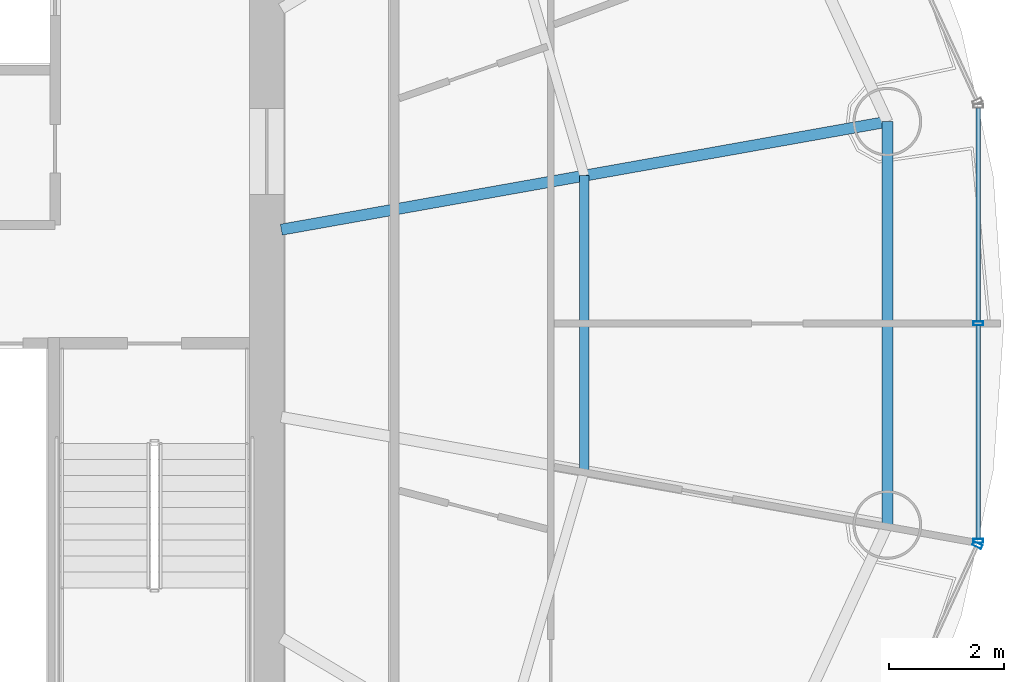
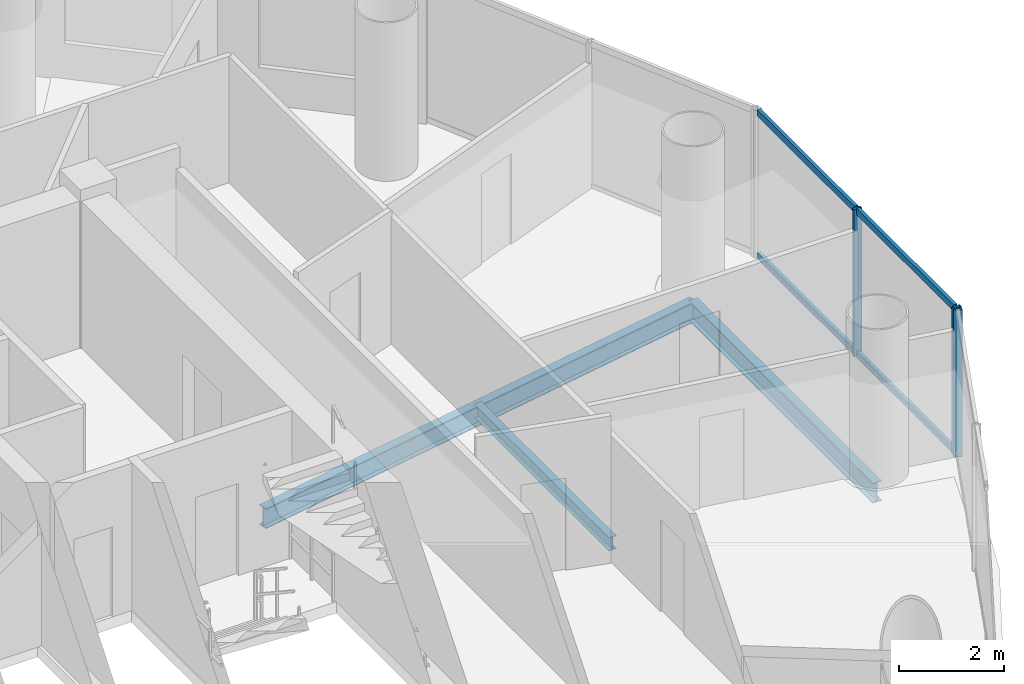
# One storey, part 13 of 26: 7 members, 3 beams, 2 elements without a shape of their own.
"""IFC4 building model written with IfcOpenShell, lengths in metres."""

from ifc_helpers import new_model, si_unit, direction, frame, origin, origin_2d, place, context, subcontext, project, spatial, hollow_rectangle, i_section, extrude, source, transform, mapped, material, material_profile, profile_set, type_object, element, aggregate, save


model = new_model("IFC4")

# Units and contexts
model_context = context("Model", 3, precision=1e-05, world=origin(), true_north=direction((-0.2419218956, 0.970295726276)))
body_context = subcontext(model_context, "Body", "Model", "MODEL_VIEW")
ifc_project = project(units=[si_unit("LENGTHUNIT", "METRE"), si_unit("AREAUNIT", "SQUARE_METRE"), si_unit("VOLUMEUNIT", "CUBIC_METRE"), si_unit("PLANEANGLEUNIT", "RADIAN"), si_unit("MASSUNIT", "GRAM", prefix="KILO")], contexts=[model_context])

# Site, building, storey
site_placement = place(None, origin())
site = spatial("IfcSite", under=ifc_project, at=site_placement, CompositionType="ELEMENT")
building_placement = place(site_placement, origin())
building = spatial("IfcBuilding", under=site, at=building_placement, Name="Cobrevalo Terracotta Tower", CompositionType="ELEMENT")
storey_placement = place(building_placement, frame((0.0, 0.0, 231.89990234375)))
storey = spatial("IfcBuildingStorey", under=building, at=storey_placement, Name="L61", CompositionType="ELEMENT", Elevation=231.89990234375)

# Beams
ifc_material_1 = material(Name="Steel S355", Category="steel")
ifc_material_profile_1 = material_profile(ifc_material_1, i_section(OverallWidth=0.194091796875, OverallDepth=0.468994140625, WebThickness=0.011474609375, FlangeThickness=0.0205078125, at=origin_2d()), Name="W 460x106")
ifc_profile_set_1 = profile_set([ifc_material_profile_1], Name="Steel S355")
beam_type_1 = type_object("IfcBeamType", Name="Structural Beam W 460x106 (Steel S355)", PredefinedType="BEAM", material=ifc_profile_set_1)
beam_1_placement = place(storey_placement, frame((57.762939453125, 30.3212890625, -0.49951171875), z_axis=(-0.98449712063, -0.175400739656, 0.0), x_axis=(0.175400739656, -0.98449712063, 0.0)))
element("IfcBeam", 1, at=beam_1_placement, inside=storey, type_object=beam_type_1, Name="L61 radial floor girder 01", PredefinedType="BEAM", context=body_context, shape_type="SweptSolid", body=[
    extrude(i_section(OverallWidth=0.194091796875, OverallDepth=0.468994140625, WebThickness=0.011474609375, FlangeThickness=0.0205078125, at=origin_2d()), origin(), (0.0, 0.0, 1.0), 10.749755859375),
])
ifc_material_profile_2 = material_profile(ifc_material_1, i_section(OverallWidth=0.1650390625, OverallDepth=0.31005859375, WebThickness=0.005859375, FlangeThickness=0.009765625, at=origin_2d()), Name="W 310x38.7")
ifc_profile_set_2 = profile_set([ifc_material_profile_2], Name="Steel S355")
beam_type_2 = type_object("IfcBeamType", Name="Structural Joist W 310x38.7 (Steel S355)", PredefinedType="JOIST", material=ifc_profile_set_2)
beam_2_placement = place(storey_placement, frame((52.471435546875, 24.221435546875, -0.419921875), z_axis=(0.0, 1.0, 0.0), x_axis=(-1.0, 0.0, 0.0)))
element("IfcBeam", 2, at=beam_2_placement, inside=storey, type_object=beam_type_2, Name="L61 circumferential secondary floor joist 16", PredefinedType="JOIST", context=body_context, shape_type="SweptSolid", body=[
    extrude(i_section(OverallWidth=0.1650390625, OverallDepth=0.31005859375, WebThickness=0.005859375, FlangeThickness=0.009765625, at=origin_2d()), origin(), (0.0, 0.0, 1.0), 5.1572265625),
])
ifc_material_profile_3 = material_profile(ifc_material_1, i_section(OverallWidth=0.194091796875, OverallDepth=0.468994140625, WebThickness=0.011474609375, FlangeThickness=0.0205078125, at=origin_2d()), Name="W 460x106")
ifc_profile_set_3 = profile_set([ifc_material_profile_3], Name="Steel S355")
beam_type_3 = type_object("IfcBeamType", Name="Structural Spandrel W 460x106 (Steel S355)", PredefinedType="SPANDREL", material=ifc_profile_set_3)
beam_3_placement = place(storey_placement, frame((57.762939453125, 23.278564453125, -0.49951171875), z_axis=(0.0, 1.0, 0.0), x_axis=(-1.0, 0.0, 0.0)))
element("IfcBeam", 3, at=beam_3_placement, inside=storey, type_object=beam_type_3, Name="L61 perimeter ring spandrel 16", PredefinedType="SPANDREL", context=body_context, shape_type="SweptSolid", body=[
    extrude(i_section(OverallWidth=0.194091796875, OverallDepth=0.468994140625, WebThickness=0.011474609375, FlangeThickness=0.0205078125, at=origin_2d()), origin(), (0.0, 0.0, 1.0), 7.042724609375),
])

# Curtain wall, members
ifc_material_2 = material(Name="Anodized aluminium", Category="aluminium")
curtain_wall_type = type_object("IfcCurtainWallType", Name="Mid-tower high-wind unitised curtain wall CW-U2", PredefinedType="NOTDEFINED", material=ifc_material_2)
curtain_wall_1_placement = place(storey_placement, origin())
curtain_wall_1 = element("IfcCurtainWall", 4, at=curtain_wall_1_placement, inside=storey, type_object=curtain_wall_type, Name="L61 curtain wall CW-L61-S16", PredefinedType="NOTDEFINED")
ifc_material_profile_4 = material_profile(ifc_material_2, hollow_rectangle(XDim=0.074951171875, YDim=0.14990234375, WallThickness=0.00439453125, at=origin_2d()), Name="CWT 75x150")
ifc_profile_set_4 = profile_set([ifc_material_profile_4], Name="Anodized aluminium")
member_type_1 = type_object("IfcMemberType", Name="Tower unitised aluminium transom 75x150", PredefinedType="USERDEFINED", material=ifc_profile_set_4)
shared_shape_1 = source(origin(), body_context, "Body", "SweptSolid", [
    extrude(hollow_rectangle(XDim=0.074951171875, YDim=0.14990234375, WallThickness=0.00439453125, at=origin_2d()), origin(), (0.0, 0.0, 1.0), 3.71728515625),
])
member_1_placement = place(storey_placement, frame((59.351806640625, 26.840087890625, 0.050048828125), z_axis=(0.0, 1.0, 0.0), x_axis=(-1.0, 0.0, 0.0)))
member_1 = element("IfcMember", 5, at=member_1_placement, type_object=member_type_1, Name="CW-L61-S16 transom B02-T1", ObjectType="TRANSOM", PredefinedType="USERDEFINED", context=body_context, shape_type="MappedRepresentation", body=[
    mapped(shared_shape_1, transform((0.0, 0.0, 0.0), scale=1.0)),
])
member_2_placement = place(storey_placement, frame((59.351806640625, 26.840087890625, 3.385009765625), z_axis=(0.0, 1.0, 0.0), x_axis=(-1.0, 0.0, 0.0)))
member_2 = element("IfcMember", 6, at=member_2_placement, type_object=member_type_1, Name="CW-L61-S16 transom B02-T2", ObjectType="TRANSOM", PredefinedType="USERDEFINED", context=body_context, shape_type="MappedRepresentation", body=[
    mapped(shared_shape_1, transform((0.0, 0.0, 0.0), scale=1.0)),
])
shared_shape_2 = source(origin(), body_context, "Body", "SweptSolid", [
    extrude(hollow_rectangle(XDim=0.074951171875, YDim=0.14990234375, WallThickness=0.00439453125, at=origin_2d()), origin(), (0.0, 0.0, 1.0), 3.717529296875),
])
member_3_placement = place(storey_placement, frame((59.351806640625, 23.04248046875, 0.050048828125), z_axis=(0.0, 1.0, 0.0), x_axis=(-1.0, 0.0, 0.0)))
member_3 = element("IfcMember", 7, at=member_3_placement, type_object=member_type_1, Name="CW-L61-S16 transom B01-T1", ObjectType="TRANSOM", PredefinedType="USERDEFINED", context=body_context, shape_type="MappedRepresentation", body=[
    mapped(shared_shape_2, transform((0.0, 0.0, 0.0), scale=1.0)),
])
member_4_placement = place(storey_placement, frame((59.351806640625, 23.04248046875, 3.385009765625), z_axis=(0.0, 1.0, 0.0), x_axis=(-1.0, 0.0, 0.0)))
member_4 = element("IfcMember", 8, at=member_4_placement, type_object=member_type_1, Name="CW-L61-S16 transom B01-T2", ObjectType="TRANSOM", PredefinedType="USERDEFINED", context=body_context, shape_type="MappedRepresentation", body=[
    mapped(shared_shape_2, transform((0.0, 0.0, 0.0), scale=1.0)),
])

# Curtain wall, member
curtain_wall_2_placement = place(storey_placement, origin())
curtain_wall_2 = element("IfcCurtainWall", 9, at=curtain_wall_2_placement, inside=storey, type_object=curtain_wall_type, Name="L61 curtain wall CW-L61-S15", PredefinedType="NOTDEFINED")
ifc_material_profile_5 = material_profile(ifc_material_2, hollow_rectangle(XDim=0.070068359375, YDim=0.169921875, WallThickness=0.00439453125, at=origin_2d()), Name="CWM 70x170")
ifc_profile_set_5 = profile_set([ifc_material_profile_5], Name="Anodized aluminium")
member_type_2 = type_object("IfcMemberType", Name="Upper tower unitised mullion 70x170", PredefinedType="MULLION", material=ifc_profile_set_5)
shared_shape_3 = source(origin(), body_context, "Body", "SweptSolid", [
    extrude(hollow_rectangle(XDim=0.070068359375, YDim=0.169921875, WallThickness=0.00439453125, at=origin_2d()), origin(), (0.0, 0.0, 1.0), 3.43505859375),
])
member_5_placement = place(storey_placement, frame((59.3349609375, 22.92626953125, 0.0), z_axis=(0.0, 0.0, 1.0), x_axis=(0.41672507912, 0.909032567311, 0.0)))
member_5 = element("IfcMember", 10, at=member_5_placement, type_object=member_type_2, Name="CW-L61-S15 vertical mullion 03", PredefinedType="MULLION", context=body_context, shape_type="MappedRepresentation", body=[
    mapped(shared_shape_3, transform((0.0, 0.0, 0.0), scale=1.0)),
])
aggregate(curtain_wall_2, [member_5])

# Member
member_6_placement = place(storey_placement, frame((59.351806640625, 23.002685546875, 0.0), z_axis=(0.0, 0.0, 1.0), x_axis=(0.0, 1.0, 0.0)))
member_6 = element("IfcMember", 11, at=member_6_placement, type_object=member_type_2, Name="CW-L61-S16 vertical mullion 01", PredefinedType="MULLION", context=body_context, shape_type="MappedRepresentation", body=[
    mapped(shared_shape_3, transform((0.0, 0.0, 0.0), scale=1.0)),
])

member_7_placement = place(storey_placement, frame((59.351806640625, 26.800048828125, 0.0), z_axis=(0.0, 0.0, 1.0), x_axis=(0.0, 1.0, 0.0)))
member_7 = element("IfcMember", 12, at=member_7_placement, type_object=member_type_2, Name="CW-L61-S16 vertical mullion 02", PredefinedType="MULLION", context=body_context, shape_type="MappedRepresentation", body=[
    mapped(shared_shape_3, transform((0.0, 0.0, 0.0), scale=1.0)),
])

aggregate(curtain_wall_1, [member_6, member_7, member_3, member_4, member_1, member_2])

save(model, "model.ifc")
